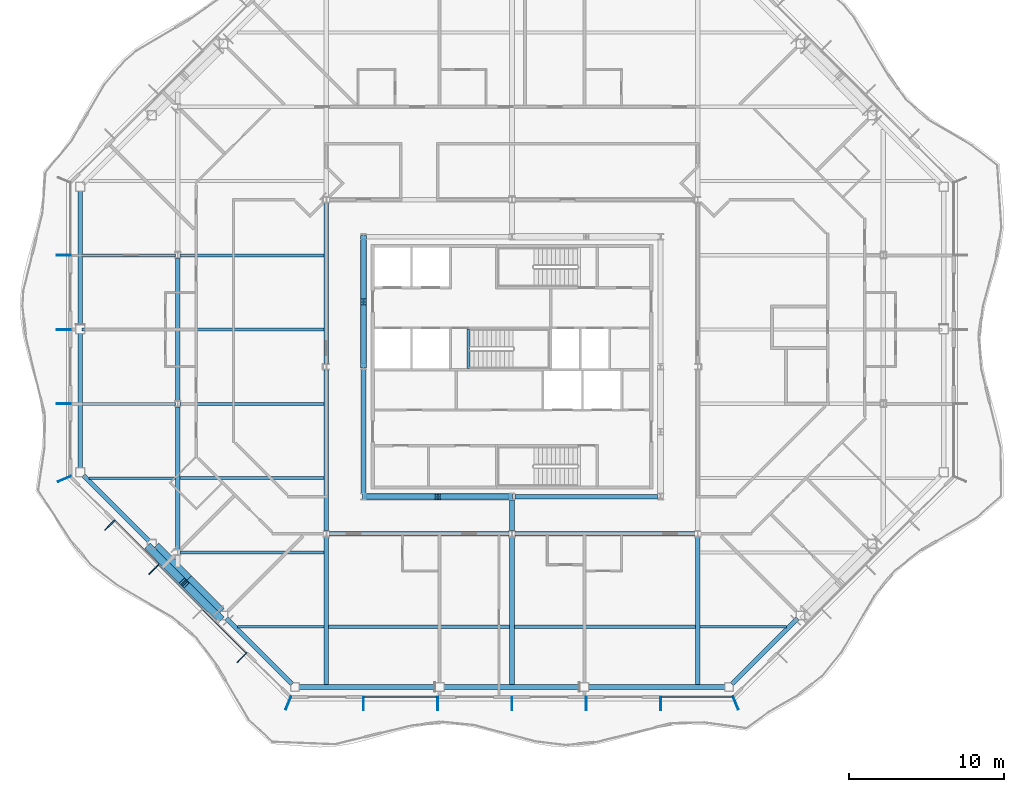
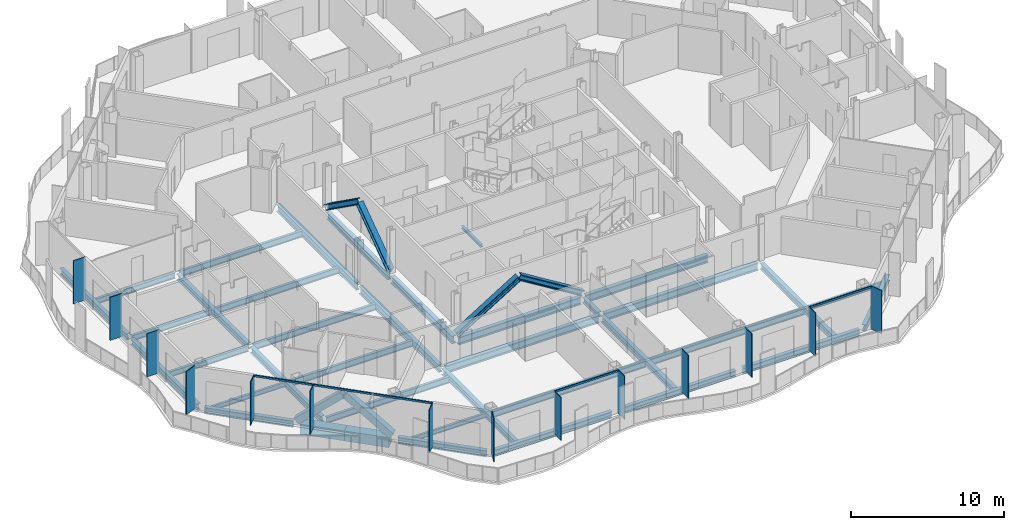
# One storey, part 3 of 20: 38 beams, 25 members, 4 elements without a shape of their own.
"""IFC4 building model written with IfcOpenShell, lengths in metres."""

import ifcopenshell
import ifcopenshell.guid

model = None  # the IFC model being written
_history = None  # IfcOwnerHistory: only IFC2X3 demands one
_inside = {}  # id of a spatial element -> (the spatial element, [elements in it])
_under = {}  # id of a project, library or spatial element -> (it, [spatial elements below it])
_declared = {}  # id of a project -> (the project, [libraries it declares])
_typed = {}  # id of a type object -> (the type object, [elements of that type])
_made_of = {}  # id of a material, layer set ... -> (it, [elements and type objects made of it])


def new_model(schema):
    """Start an empty IFC model of exactly this schema.

    Asked for "IFC4X3", IfcOpenShell would pick the latest addendum, in which some entities
    have other attributes; the version numbers below select the first issue.
    IFC2X3 requires an IfcOwnerHistory on every rooted entity: one is made here for all.
    """
    global model, _history
    if schema == "IFC4X3":
        model = ifcopenshell.file(schema_version=(4, 3, 0, 0))
    else:
        model = ifcopenshell.file(schema=schema)
    _inside.clear()
    _under.clear()
    _declared.clear()
    _typed.clear()
    _made_of.clear()
    _history = None
    if model.schema == "IFC2X3":
        org = make("IfcOrganization", Name="unknown")
        user = make(
            "IfcPersonAndOrganization",
            ThePerson=make("IfcPerson", FamilyName="unknown"),
            TheOrganization=org,
        )
        app = make(
            "IfcApplication",
            ApplicationDeveloper=org,
            Version="unknown",
            ApplicationFullName="unknown",
            ApplicationIdentifier="unknown",
        )
        _history = make(
            "IfcOwnerHistory",
            OwningUser=user,
            OwningApplication=app,
            ChangeAction="ADDED",
            CreationDate=0,
        )
    return model


def make(cls, **values):
    """One entity of the class cls with the attributes given. An attribute that is None is left unset."""
    return model.create_entity(
        cls, **{name: value for name, value in values.items() if value is not None}
    )


def rooted(cls, **values):
    """An entity with a GlobalId (a new one), such as an element, a storey or a relation."""
    return make(cls, GlobalId=ifcopenshell.guid.new(), OwnerHistory=_history, **values)


def si_unit(unit_type, name, prefix=None):
    """IfcSIUnit, for example si_unit("LENGTHUNIT", "METRE", prefix="MILLI")."""
    return make("IfcSIUnit", UnitType=unit_type, Prefix=prefix, Name=name)


def assignment(units):
    """IfcUnitAssignment: the units of a project."""
    return None if units is None else make("IfcUnitAssignment", Units=units)


def point(xyz):
    """IfcCartesianPoint."""
    return None if xyz is None else make("IfcCartesianPoint", Coordinates=xyz)


def direction(xyz):
    """IfcDirection."""
    return None if xyz is None else make("IfcDirection", DirectionRatios=xyz)


def frame(location, z_axis=None, x_axis=None):
    """IfcAxis2Placement3D, a coordinate frame: its origin and axes. An axis left out is left unset."""
    return make(
        "IfcAxis2Placement3D",
        Location=point(location),
        Axis=direction(z_axis),
        RefDirection=direction(x_axis),
    )


def frame_2d(location, x_axis=None):
    """IfcAxis2Placement2D, a coordinate frame in the plane: its origin and x axis."""
    return make(
        "IfcAxis2Placement2D", Location=point(location), RefDirection=direction(x_axis)
    )


def origin():
    """The frame at (0, 0, 0) with its axes left unset."""
    return frame((0.0, 0.0, 0.0))


def origin_2d():
    """The frame at (0, 0) in the plane with its x axis left unset."""
    return frame_2d((0.0, 0.0))


def place(relative_to, where):
    """IfcLocalPlacement: puts the frame where relative to a parent placement (None: the world)."""
    return make(
        "IfcLocalPlacement", PlacementRelTo=relative_to, RelativePlacement=where
    )


def context(
    kind, dimensions, precision=None, world=None, true_north=None, identifier=None
):
    """IfcGeometricRepresentationContext, for example the 3D "Model" context."""
    return make(
        "IfcGeometricRepresentationContext",
        ContextIdentifier=identifier,
        ContextType=kind,
        CoordinateSpaceDimension=dimensions,
        Precision=precision,
        WorldCoordinateSystem=world,
        TrueNorth=true_north,
    )


def subcontext(parent, identifier, kind, view, scale=None):
    """IfcGeometricRepresentationSubContext, for example "Body" below "Model"."""
    return make(
        "IfcGeometricRepresentationSubContext",
        ContextIdentifier=identifier,
        ContextType=kind,
        ParentContext=parent,
        TargetScale=scale,
        TargetView=view,
    )


def project(units=None, contexts=None):
    """IfcProject with its units and contexts."""
    return rooted(
        "IfcProject",
        Name="project",
        RepresentationContexts=contexts,
        UnitsInContext=assignment(units),
    )


def spatial(cls, under=None, at=None, **own):
    """A site, building, storey or space (cls), placed at a placement, below another one or the project."""
    s = rooted(cls, ObjectPlacement=at, **own)
    if under is not None:
        _under.setdefault(under.id(), (under, []))[1].append(s)
    return s


def profile(cls, at=None, kind="AREA", **sizes):
    """A parametric profile (cls). Its sizes go by their IFC names, for example OverallWidth=200.0."""
    return make(cls, ProfileType=kind, Position=at, **sizes)


def rectangle(**sizes):
    """IfcRectangleProfileDef."""
    return profile("IfcRectangleProfileDef", **sizes)


def hollow_rectangle(**sizes):
    """IfcRectangleHollowProfileDef."""
    return profile("IfcRectangleHollowProfileDef", **sizes)


def i_section(**sizes):
    """IfcIShapeProfileDef."""
    return profile("IfcIShapeProfileDef", **sizes)


def extrude(swept, where, along, depth):
    """IfcExtrudedAreaSolid: the profile swept, set in the frame where, extruded along a direction by depth."""
    return make(
        "IfcExtrudedAreaSolid",
        SweptArea=swept,
        Position=where,
        ExtrudedDirection=direction(along),
        Depth=depth,
    )


def shape(context_of_items, identifier, shape_type, items):
    """IfcShapeRepresentation: the items that make up one representation, for example the "Body"."""
    return make(
        "IfcShapeRepresentation",
        ContextOfItems=context_of_items,
        RepresentationIdentifier=identifier,
        RepresentationType=shape_type,
        Items=items,
    )


def material(Name=None, Category=None):
    """IfcMaterial."""
    return make("IfcMaterial", Name=Name, Category=Category)


def material_profile(
    of_material, cross_section, Name=None, Category=None, Priority=None
):
    """IfcMaterialProfile: a cross section and its material."""
    return make(
        "IfcMaterialProfile",
        Name=Name,
        Material=of_material,
        Profile=cross_section,
        Priority=Priority,
        Category=Category,
    )


def profile_set(profiles, Name=None, composite=None):
    """IfcMaterialProfileSet."""
    return make(
        "IfcMaterialProfileSet",
        Name=Name,
        MaterialProfiles=profiles,
        CompositeProfile=composite,
    )


def made_of(thing, what):
    """Note that an element or type object is made of a material, layer set ...; save() writes the relation."""
    if what is not None:
        _made_of.setdefault(what.id(), (what, []))[1].append(thing)
    return thing


def type_object(cls, material=None, **own):
    """A type object (cls), such as IfcWallType, which elements share."""
    return made_of(rooted(cls, **own), material)


def element(
    cls,
    number,
    at=None,
    inside=None,
    cuts=None,
    type_object=None,
    material=None,
    context=None,
    identifier="Body",
    shape_type=None,
    held_by="IfcProductDefinitionShape",
    body=None,
    shapes=None,
    **own,
):
    """One element of the class cls, such as IfcWall. Its Tag is "e" and its number.

    at: its placement. inside: the storey or other place that contains it. cuts: it is an
    opening in that element (IfcRelVoidsElement). A single representation is given by context,
    identifier, shape_type and body (its items); several are given by shapes. held_by: the class
    of the entity that holds the representations. save() writes the other relations.
    """
    e = rooted(cls, Tag="e%d" % number, ObjectPlacement=at, **own)
    if body is not None:
        shapes = [shape(context, identifier, shape_type, body)]
    if shapes is not None:
        e.Representation = make(held_by, Representations=shapes)
    if inside is not None:
        _inside.setdefault(inside.id(), (inside, []))[1].append(e)
    if cuts is not None:
        rooted(
            "IfcRelVoidsElement", RelatingBuildingElement=cuts, RelatedOpeningElement=e
        )
    if type_object is not None:
        _typed.setdefault(type_object.id(), (type_object, []))[1].append(e)
    return made_of(e, material)


def aggregate(whole, parts):
    """IfcRelAggregates: a whole, such as a stair, and the parts it consists of."""
    return rooted("IfcRelAggregates", RelatingObject=whole, RelatedObjects=parts)


def save(model, path):
    """Write the relations noted so far, then the file.

    IfcRelAggregates (storeys below a building ...), IfcRelContainedInSpatialStructure (elements
    in a storey), IfcRelDefinesByType, IfcRelAssociatesMaterial and IfcRelDeclares: one each for
    every whole, place, type object, material and project.
    """
    for whole, parts in _under.values():
        aggregate(whole, parts)
    for where, things in _inside.values():
        rooted(
            "IfcRelContainedInSpatialStructure",
            RelatedElements=things,
            RelatingStructure=where,
        )
    for kind, things in _typed.values():
        rooted("IfcRelDefinesByType", RelatedObjects=things, RelatingType=kind)
    for what, things in _made_of.values():
        rooted("IfcRelAssociatesMaterial", RelatedObjects=things, RelatingMaterial=what)
    for by, libraries in _declared.values():
        rooted("IfcRelDeclares", RelatingContext=by, RelatedDefinitions=libraries)
    model.write(path)


model = new_model("IFC4")

# Units and contexts
model_context = context("Model", 3, precision=1e-05, world=origin(), true_north=direction((0.0, 1.0)))
body_context = subcontext(model_context, "Body", "Model", "MODEL_VIEW")
ifc_project = project(units=[si_unit("LENGTHUNIT", "METRE"), si_unit("AREAUNIT", "SQUARE_METRE"), si_unit("VOLUMEUNIT", "CUBIC_METRE"), si_unit("PLANEANGLEUNIT", "RADIAN"), si_unit("MASSUNIT", "GRAM", prefix="KILO")], contexts=[model_context])

# Site, building, storey
site_placement = place(None, origin())
site = spatial("IfcSite", under=ifc_project, at=site_placement, CompositionType="ELEMENT")
building_placement = place(site_placement, origin())
building = spatial("IfcBuilding", under=site, at=building_placement, Name="Cairn Pilgrim Tower", CompositionType="ELEMENT")
storey_placement = place(building_placement, frame((0.0, 0.0, 165.0)))
storey = spatial("IfcBuildingStorey", under=building, at=storey_placement, Name="L41", CompositionType="ELEMENT", Elevation=165.0)

# Members
ifc_material_1 = material(Name="Structural steel S460M", Category="steel")
ifc_material_profile_1 = material_profile(ifc_material_1, hollow_rectangle(XDim=0.5, YDim=0.5, WallThickness=0.030029296875, at=origin_2d()), Name="BOX 500x500x30")
ifc_profile_set_1 = profile_set([ifc_material_profile_1], Name="Structural steel S460M")
member_type_1 = type_object("IfcMemberType", Name="BOX 500x500x30 BRACE", PredefinedType="BRACE", material=ifc_profile_set_1)
for number, where, z_axis, x_axis, name in (
    (1, (-16.243408203125, -9.2978515625, 0.14990234375), (0.532872437944, -0.54041586551, 0.651151024866), (0.712058976351, 0.702119658034, 0.0), "XB-SW2-SW3-1"),
    (2, (-11.697998046875, -13.84326171875, 0.14990234375), (-0.540432836476, 0.53283023714, 0.651171473306), (-0.702080283622, -0.712097799006, 0.0), "XB-SW2-SW3-2"),
):
    element("IfcMember", number, at=place(storey_placement, frame(where, z_axis=z_axis, x_axis=x_axis)), inside=storey, type_object=member_type_1, Name=name, PredefinedType="BRACE", context=body_context, shape_type="SweptSolid", body=[
        extrude(hollow_rectangle(XDim=0.5, YDim=0.5, WallThickness=0.030029296875, at=origin_2d()), origin(), (0.0, 0.0, 1.0), 4.142578125),
    ])

# Beams
ifc_material_2 = material(Name="Structural steel S355J2", Category="steel")
ifc_material_profile_2 = material_profile(ifc_material_2, hollow_rectangle(XDim=0.699951171875, YDim=0.800048828125, WallThickness=0.0400390625, at=origin_2d()), Name="BOX 700x800x40")
ifc_profile_set_2 = profile_set([ifc_material_profile_2], Name="Structural steel S355J2")
beam_type_1 = type_object("IfcBeamType", Name="BOX 700x800x40 RING GIRDER", PredefinedType="SPANDREL", material=ifc_profile_set_2)
beam_1_placement = place(storey_placement, frame((-15.884765625, -9.242431640625, -0.550048828125), z_axis=(0.707106781187, -0.707106781187, 0.0), x_axis=(0.707106781187, 0.707106781187, 0.0)))
element("IfcBeam", 3, at=beam_1_placement, inside=storey, type_object=beam_type_1, Name="RG2-SW2-SW3-1", PredefinedType="SPANDREL", context=body_context, shape_type="SweptSolid", body=[
    extrude(hollow_rectangle(XDim=0.699951171875, YDim=0.800048828125, WallThickness=0.0400390625, at=origin_2d()), origin(), (0.0, 0.0, 1.0), 2.999755859375),
])
beam_2_placement = place(storey_placement, frame((-13.763671875, -11.363525390625, -0.550048828125), z_axis=(0.707106781187, -0.707106781187, 0.0), x_axis=(0.707106781187, 0.707106781187, 0.0)))
element("IfcBeam", 4, at=beam_2_placement, inside=storey, type_object=beam_type_1, Name="RG2-SW2-SW3-2", PredefinedType="SPANDREL", context=body_context, shape_type="SweptSolid", body=[
    extrude(hollow_rectangle(XDim=0.699951171875, YDim=0.800048828125, WallThickness=0.0400390625, at=origin_2d()), origin(), (0.0, 0.0, 1.0), 3.0),
])

# Curtain wall, members
ifc_material_3 = material(Name="Aluminium alloy 6063-T6 bronze anodised with Bronze tinted laminated low-E glass 8+16+8.8", Category="aluminium")
curtain_wall_type_1 = type_object("IfcCurtainWallType", Name="TOWER STICK CURTAIN WALL NS", PredefinedType="NOTDEFINED", material=ifc_material_3)
curtain_wall_1_placement = place(storey_placement, origin())
curtain_wall_1 = element("IfcCurtainWall", 5, at=curtain_wall_1_placement, inside=storey, type_object=curtain_wall_type_1, Name="Tower Stick Curtain Wall Ns S", PredefinedType="NOTDEFINED")
ifc_material_4 = material(Name="Aluminium alloy 6063-T6 bronze anodised", Category="aluminium")
ifc_material_profile_3 = material_profile(ifc_material_4, rectangle(XDim=0.89990234375, YDim=0.06005859375, at=origin_2d()), Name="FIN MULLION 60x900 BRONZE")
ifc_profile_set_3 = profile_set([ifc_material_profile_3], Name="Aluminium alloy 6063-T6 bronze anodised")
member_type_2 = type_object("IfcMemberType", Name="FIN MULLION 60x900 BRONZE", PredefinedType="MULLION", material=ifc_profile_set_3)
member_1_placement = place(storey_placement, frame((-7.257080078125, -19.338134765625, 0.0), z_axis=(0.0, 0.0, 1.0), x_axis=(-0.382683432365, -0.923879532511, 0.0)))
member_1 = element("IfcMember", 6, at=member_1_placement, type_object=member_type_2, Name="Fin mullion S1", PredefinedType="MULLION", context=body_context, shape_type="SweptSolid", body=[
    extrude(rectangle(XDim=0.89990234375, YDim=0.06005859375, at=origin_2d()), origin(), (0.0, 0.0, 1.0), 3.449951171875),
])
member_2_placement = place(storey_placement, frame((-2.39990234375, -19.3701171875, 0.0), z_axis=(0.0, 0.0, 1.0), x_axis=(0.0, -1.0, 0.0)))
member_2 = element("IfcMember", 7, at=member_2_placement, type_object=member_type_2, Name="Fin mullion S2", PredefinedType="MULLION", context=body_context, shape_type="SweptSolid", body=[
    extrude(rectangle(XDim=0.89990234375, YDim=0.06005859375, at=origin_2d()), origin(), (0.0, 0.0, 1.0), 3.449951171875),
])
member_3_placement = place(storey_placement, frame((2.39990234375, -19.3701171875, 0.0), z_axis=(0.0, 0.0, 1.0), x_axis=(0.0, -1.0, 0.0)))
member_3 = element("IfcMember", 8, at=member_3_placement, type_object=member_type_2, Name="Fin mullion S3", PredefinedType="MULLION", context=body_context, shape_type="SweptSolid", body=[
    extrude(rectangle(XDim=0.89990234375, YDim=0.06005859375, at=origin_2d()), origin(), (0.0, 0.0, 1.0), 3.449951171875),
])
member_4_placement = place(storey_placement, frame((7.199951171875, -19.3701171875, 0.0), z_axis=(0.0, 0.0, 1.0), x_axis=(0.0, -1.0, 0.0)))
member_4 = element("IfcMember", 9, at=member_4_placement, type_object=member_type_2, Name="Fin mullion S4", PredefinedType="MULLION", context=body_context, shape_type="SweptSolid", body=[
    extrude(rectangle(XDim=0.89990234375, YDim=0.06005859375, at=origin_2d()), origin(), (0.0, 0.0, 1.0), 3.449951171875),
])
member_5_placement = place(storey_placement, frame((12.0, -19.3701171875, 0.0), z_axis=(0.0, 0.0, 1.0), x_axis=(0.0, -1.0, 0.0)))
member_5 = element("IfcMember", 10, at=member_5_placement, type_object=member_type_2, Name="Fin mullion S5", PredefinedType="MULLION", context=body_context, shape_type="SweptSolid", body=[
    extrude(rectangle(XDim=0.89990234375, YDim=0.06005859375, at=origin_2d()), origin(), (0.0, 0.0, 1.0), 3.449951171875),
])
member_6_placement = place(storey_placement, frame((16.800048828125, -19.3701171875, 0.0), z_axis=(0.0, 0.0, 1.0), x_axis=(0.0, -1.0, 0.0)))
member_6 = element("IfcMember", 11, at=member_6_placement, type_object=member_type_2, Name="Fin mullion S6", PredefinedType="MULLION", context=body_context, shape_type="SweptSolid", body=[
    extrude(rectangle(XDim=0.89990234375, YDim=0.06005859375, at=origin_2d()), origin(), (0.0, 0.0, 1.0), 3.449951171875),
])

# Curtain wall, member
curtain_wall_type_2 = type_object("IfcCurtainWallType", Name="CHAMFER CORNER CURTAIN WALL", PredefinedType="NOTDEFINED", material=ifc_material_3)
curtain_wall_2_placement = place(storey_placement, origin())
curtain_wall_2 = element("IfcCurtainWall", 12, at=curtain_wall_2_placement, inside=storey, type_object=curtain_wall_type_2, Name="Chamfer Corner Curtain Wall SE", PredefinedType="NOTDEFINED")
member_7_placement = place(storey_placement, frame((21.6572265625, -19.338134765625, 0.0), z_axis=(0.0, 0.0, 1.0), x_axis=(0.382683432365, -0.923879532511, 0.0)))
member_7 = element("IfcMember", 13, at=member_7_placement, type_object=member_type_2, Name="Fin mullion SE1", PredefinedType="MULLION", context=body_context, shape_type="SweptSolid", body=[
    extrude(rectangle(XDim=0.89990234375, YDim=0.06005859375, at=origin_2d()), origin(), (0.0, 0.0, 1.0), 3.449951171875),
])
aggregate(curtain_wall_2, [member_7])

# Curtain wall, members
curtain_wall_type_3 = type_object("IfcCurtainWallType", Name="TOWER STICK CURTAIN WALL EW", PredefinedType="NOTDEFINED", material=ifc_material_3)
curtain_wall_3_placement = place(storey_placement, origin())
curtain_wall_3 = element("IfcCurtainWall", 14, at=curtain_wall_3_placement, inside=storey, type_object=curtain_wall_type_3, Name="Tower Stick Curtain Wall Ew W", PredefinedType="NOTDEFINED")
member_8_placement = place(storey_placement, frame((-21.77001953125, 9.60009765625, 0.0), z_axis=(0.0, 0.0, 1.0), x_axis=(-1.0, 0.0, 0.0)))
member_8 = element("IfcMember", 15, at=member_8_placement, type_object=member_type_2, Name="Fin mullion W2", PredefinedType="MULLION", context=body_context, shape_type="SweptSolid", body=[
    extrude(rectangle(XDim=0.89990234375, YDim=0.06005859375, at=origin_2d()), origin(), (0.0, 0.0, 1.0), 3.449951171875),
])
member_9_placement = place(storey_placement, frame((-21.77001953125, 4.800048828125, 0.0), z_axis=(0.0, 0.0, 1.0), x_axis=(-1.0, 0.0, 0.0)))
member_9 = element("IfcMember", 16, at=member_9_placement, type_object=member_type_2, Name="Fin mullion W3", PredefinedType="MULLION", context=body_context, shape_type="SweptSolid", body=[
    extrude(rectangle(XDim=0.89990234375, YDim=0.06005859375, at=origin_2d()), origin(), (0.0, 0.0, 1.0), 3.449951171875),
])
member_10_placement = place(storey_placement, frame((-21.77001953125, 0.0, 0.0), z_axis=(0.0, 0.0, 1.0), x_axis=(-1.0, 0.0, 0.0)))
member_10 = element("IfcMember", 17, at=member_10_placement, type_object=member_type_2, Name="Fin mullion W4", PredefinedType="MULLION", context=body_context, shape_type="SweptSolid", body=[
    extrude(rectangle(XDim=0.89990234375, YDim=0.06005859375, at=origin_2d()), origin(), (0.0, 0.0, 1.0), 3.449951171875),
])
aggregate(curtain_wall_3, [member_8, member_9, member_10])

curtain_wall_4_placement = place(storey_placement, origin())
curtain_wall_4 = element("IfcCurtainWall", 18, at=curtain_wall_4_placement, inside=storey, type_object=curtain_wall_type_2, Name="Chamfer Corner Curtain Wall SW", PredefinedType="NOTDEFINED")
member_11_placement = place(storey_placement, frame((-21.738037109375, -4.857177734375, 0.0), z_axis=(0.0, 0.0, 1.0), x_axis=(-0.923879532511, -0.382683432365, 0.0)))
member_11 = element("IfcMember", 19, at=member_11_placement, type_object=member_type_2, Name="Fin mullion SW1", PredefinedType="MULLION", context=body_context, shape_type="SweptSolid", body=[
    extrude(rectangle(XDim=0.89990234375, YDim=0.06005859375, at=origin_2d()), origin(), (0.0, 0.0, 1.0), 3.449951171875),
])
member_12_placement = place(storey_placement, frame((-18.79638671875, -7.84423828125, 0.0), z_axis=(0.0, 0.0, 1.0), x_axis=(-0.707106781187, -0.707106781187, 0.0)))
member_12 = element("IfcMember", 20, at=member_12_placement, type_object=member_type_2, Name="Fin mullion SW2", PredefinedType="MULLION", context=body_context, shape_type="SweptSolid", body=[
    extrude(rectangle(XDim=0.89990234375, YDim=0.06005859375, at=origin_2d()), origin(), (0.0, 0.0, 1.0), 3.449951171875),
])
member_13_placement = place(storey_placement, frame((-15.945556640625, -10.69482421875, 0.0), z_axis=(0.0, 0.0, 1.0), x_axis=(-0.707106781187, -0.707106781187, 0.0)))
member_13 = element("IfcMember", 21, at=member_13_placement, type_object=member_type_2, Name="Fin mullion SW3", PredefinedType="MULLION", context=body_context, shape_type="SweptSolid", body=[
    extrude(rectangle(XDim=0.89990234375, YDim=0.06005859375, at=origin_2d()), origin(), (0.0, 0.0, 1.0), 3.449951171875),
])
member_14_placement = place(storey_placement, frame((-10.244140625, -16.396240234375, 0.0), z_axis=(0.0, 0.0, 1.0), x_axis=(-0.707106781187, -0.707106781187, 0.0)))
member_14 = element("IfcMember", 22, at=member_14_placement, type_object=member_type_2, Name="Fin mullion SW5", PredefinedType="MULLION", context=body_context, shape_type="SweptSolid", body=[
    extrude(rectangle(XDim=0.89990234375, YDim=0.06005859375, at=origin_2d()), origin(), (0.0, 0.0, 1.0), 3.449951171875),
])

# Members
ifc_material_profile_4 = material_profile(ifc_material_1, i_section(OverallWidth=0.408935546875, OverallDepth=0.425048828125, WebThickness=0.03271484375, FlangeThickness=0.052490234375, FilletRadius=0.014892578125, at=origin_2d()), Name="HD 400x421")
ifc_profile_set_4 = profile_set([ifc_material_profile_4], Name="Structural steel S460M")
member_type_3 = type_object("IfcMemberType", Name="HD 400x421 BRACE", PredefinedType="BRACE", material=ifc_profile_set_4)
member_15_placement = place(storey_placement, frame((-2.3583984375, -6.0, 0.10009765625), z_axis=(0.851119565216, 0.0, 0.524971890397), x_axis=(0.0, 1.0, 0.0)))
element("IfcMember", 23, at=member_15_placement, inside=storey, type_object=member_type_3, Name="KB-1A", PredefinedType="BRACE", context=body_context, shape_type="SweptSolid", body=[
    extrude(i_section(OverallWidth=0.408935546875, OverallDepth=0.425048828125, WebThickness=0.03271484375, FlangeThickness=0.052490234375, FilletRadius=0.014892578125, at=origin_2d()), origin(), (0.0, 0.0, 1.0), 5.528076171875),
])
member_16_placement = place(storey_placement, frame((7.158447265625, -6.0, 0.10009765625), z_axis=(-0.851131735799, 0.0, 0.52495215812), x_axis=(0.0, -1.0, 0.0)))
element("IfcMember", 24, at=member_16_placement, inside=storey, type_object=member_type_3, Name="KB-1B", PredefinedType="BRACE", context=body_context, shape_type="SweptSolid", body=[
    extrude(i_section(OverallWidth=0.408935546875, OverallDepth=0.425048828125, WebThickness=0.03271484375, FlangeThickness=0.052490234375, FilletRadius=0.014892578125, at=origin_2d()), origin(), (0.0, 0.0, 1.0), 5.5283203125),
])
for number, where, z_axis, x_axis, name in (
    (25, (-2.39990234375, 10.75830078125, 0.10009765625), (0.0, -0.81433042856, 0.580401544727), (1.0, 0.0, 0.0), "KB-4A"),
    (26, (-2.39990234375, 2.441650390625, 0.10009765625), (0.0, 0.81433042856, 0.580401544727), (-1.0, 0.0, 0.0), "KB-4B"),
):
    element("IfcMember", number, at=place(storey_placement, frame(where, z_axis=z_axis, x_axis=x_axis)), inside=storey, type_object=member_type_3, Name=name, PredefinedType="BRACE", context=body_context, shape_type="SweptSolid", body=[
        extrude(i_section(OverallWidth=0.408935546875, OverallDepth=0.425048828125, WebThickness=0.03271484375, FlangeThickness=0.052490234375, FilletRadius=0.014892578125, at=origin_2d()), origin(), (0.0, 0.0, 1.0), 4.998046875),
    ])

# Beams
ifc_material_profile_5 = material_profile(ifc_material_2, i_section(OverallWidth=0.300048828125, OverallDepth=0.39990234375, WebThickness=0.013427734375, FlangeThickness=0.02392578125, FilletRadius=0.027099609375, at=origin_2d()), Name="HEB 400")
ifc_profile_set_5 = profile_set([ifc_material_profile_5], Name="Structural steel S355J2")
beam_type_2 = type_object("IfcBeamType", Name="HEB 400 GIRDER", PredefinedType="BEAM", material=ifc_profile_set_5)
beam_3_placement = place(storey_placement, frame((7.199951171875, -8.200439453125, -0.35009765625), z_axis=(0.0, 1.0, 0.0), x_axis=(-1.0, 0.0, 0.0)))
element("IfcBeam", 27, at=beam_3_placement, inside=storey, type_object=beam_type_2, Name="PG3-E1", PredefinedType="BEAM", context=body_context, shape_type="SweptSolid", body=[
    extrude(i_section(OverallWidth=0.300048828125, OverallDepth=0.39990234375, WebThickness=0.013427734375, FlangeThickness=0.02392578125, FilletRadius=0.027099609375, at=origin_2d()), origin(), (0.0, 0.0, 1.0), 1.992431640625),
])
ifc_material_profile_6 = material_profile(ifc_material_2, i_section(OverallWidth=0.300048828125, OverallDepth=0.5, WebThickness=0.014404296875, FlangeThickness=0.028076171875, FilletRadius=0.027099609375, at=origin_2d()), Name="HEB 500")
ifc_profile_set_6 = profile_set([ifc_material_profile_6], Name="Structural steel S355J2")
beam_type_3 = type_object("IfcBeamType", Name="HEB 500 GIRDER", PredefinedType="BEAM", material=ifc_profile_set_6)
for number, where, z_axis, x_axis, name in (
    (28, (-14.39990234375, -9.400390625, -0.39990234375), (0.0, 1.0, 0.0), (-1.0, 0.0, 0.0), "PG1-1"),
    (29, (-14.39990234375, 0.199462890625, -0.39990234375), (0.0, 1.0, 0.0), (-1.0, 0.0, 0.0), "PG1-2"),
):
    element("IfcBeam", number, at=place(storey_placement, frame(where, z_axis=z_axis, x_axis=x_axis)), inside=storey, type_object=beam_type_3, Name=name, PredefinedType="BEAM", context=body_context, shape_type="SweptSolid", body=[
        extrude(i_section(OverallWidth=0.300048828125, OverallDepth=0.5, WebThickness=0.014404296875, FlangeThickness=0.028076171875, FilletRadius=0.027099609375, at=origin_2d()), origin(), (0.0, 0.0, 1.0), 9.200927734375),
    ])
for number, where, z_axis, x_axis, name in (
    (30, (-4.800048828125, -18.179931640625, -0.39990234375), (0.0, 1.0, 0.0), (-1.0, 0.0, 0.0), "PG2-1"),
    (31, (7.199951171875, -18.179931640625, -0.39990234375), (0.0, 1.0, 0.0), (-1.0, 0.0, 0.0), "PG3-1"),
    (32, (19.199951171875, -18.179931640625, -0.39990234375), (0.0, 1.0, 0.0), (-1.0, 0.0, 0.0), "PG4-1"),
):
    element("IfcBeam", number, at=place(storey_placement, frame(where, z_axis=z_axis, x_axis=x_axis)), inside=storey, type_object=beam_type_3, Name=name, PredefinedType="BEAM", context=body_context, shape_type="SweptSolid", body=[
        extrude(i_section(OverallWidth=0.300048828125, OverallDepth=0.5, WebThickness=0.014404296875, FlangeThickness=0.028076171875, FilletRadius=0.027099609375, at=origin_2d()), origin(), (0.0, 0.0, 1.0), 9.580322265625),
    ])
ifc_material_profile_7 = material_profile(ifc_material_2, i_section(OverallWidth=0.300048828125, OverallDepth=0.5, WebThickness=0.014404296875, FlangeThickness=0.028076171875, FilletRadius=0.027099609375, at=origin_2d()), Name="HEB 500")
ifc_profile_set_7 = profile_set([ifc_material_profile_7], Name="Structural steel S355J2")
beam_type_4 = type_object("IfcBeamType", Name="HEB 500 RING GIRDER", PredefinedType="SPANDREL", material=ifc_profile_set_7)
for number, where, z_axis, x_axis, name in (
    (33, (-6.55712890625, -18.300048828125, -0.39990234375), (1.0, 0.0, 0.0), (0.0, 1.0, 0.0), "RG2-S1-S2"),
    (34, (2.794189453125, -18.300048828125, -0.39990234375), (1.0, 0.0, 0.0), (0.0, 1.0, 0.0), "RG2-S2-S3"),
    (35, (12.145751953125, -18.300048828125, -0.39990234375), (1.0, 0.0, 0.0), (0.0, 1.0, 0.0), "RG2-S3-SE1"),
):
    element("IfcBeam", number, at=place(storey_placement, frame(where, z_axis=z_axis, x_axis=x_axis)), inside=storey, type_object=beam_type_4, Name=name, PredefinedType="SPANDREL", context=body_context, shape_type="SweptSolid", body=[
        extrude(i_section(OverallWidth=0.300048828125, OverallDepth=0.5, WebThickness=0.014404296875, FlangeThickness=0.028076171875, FilletRadius=0.027099609375, at=origin_2d()), origin(), (0.0, 0.0, 1.0), 8.8115234375),
    ])
beam_4_placement = place(storey_placement, frame((21.418212890625, -18.109130859375, -0.39990234375), z_axis=(0.707106781187, 0.707106781187, 0.0), x_axis=(-0.707106781187, 0.707106781187, 0.0)))
element("IfcBeam", 36, at=beam_4_placement, inside=storey, type_object=beam_type_4, Name="RG2-SE1-SE2", PredefinedType="SPANDREL", context=body_context, shape_type="SweptSolid", body=[
    extrude(i_section(OverallWidth=0.300048828125, OverallDepth=0.5, WebThickness=0.014404296875, FlangeThickness=0.028076171875, FilletRadius=0.027099609375, at=origin_2d()), origin(), (0.0, 0.0, 1.0), 5.999755859375),
])
beam_5_placement = place(storey_placement, frame((-20.699951171875, 13.757080078125, -0.39990234375), z_axis=(0.0, -1.0, 0.0), x_axis=(1.0, 0.0, 0.0)))
element("IfcBeam", 37, at=beam_5_placement, inside=storey, type_object=beam_type_4, Name="RG2-W1-W2", PredefinedType="SPANDREL", context=body_context, shape_type="SweptSolid", body=[
    extrude(i_section(OverallWidth=0.300048828125, OverallDepth=0.5, WebThickness=0.014404296875, FlangeThickness=0.028076171875, FilletRadius=0.027099609375, at=origin_2d()), origin(), (0.0, 0.0, 1.0), 8.68701171875),
])
beam_6_placement = place(storey_placement, frame((-20.699951171875, 4.530029296875, -0.39990234375), z_axis=(0.0, -1.0, 0.0), x_axis=(1.0, 0.0, 0.0)))
element("IfcBeam", 38, at=beam_6_placement, inside=storey, type_object=beam_type_4, Name="RG2-W2-SW1", PredefinedType="SPANDREL", context=body_context, shape_type="SweptSolid", body=[
    extrude(i_section(OverallWidth=0.300048828125, OverallDepth=0.5, WebThickness=0.014404296875, FlangeThickness=0.028076171875, FilletRadius=0.027099609375, at=origin_2d()), origin(), (0.0, 0.0, 1.0), 8.687255859375),
])
for number, where, z_axis, x_axis, name in (
    (39, (-20.509033203125, -4.6181640625, -0.39990234375), (0.707106781187, -0.707106781187, 0.0), (0.707106781187, 0.707106781187, 0.0), "RG2-SW1-SW2"),
    (40, (-11.260498046875, -13.86669921875, -0.39990234375), (0.707106781187, -0.707106781187, 0.0), (0.707106781187, 0.707106781187, 0.0), "RG2-SW3-S1"),
):
    element("IfcBeam", number, at=place(storey_placement, frame(where, z_axis=z_axis, x_axis=x_axis)), inside=storey, type_object=beam_type_4, Name=name, PredefinedType="SPANDREL", context=body_context, shape_type="SweptSolid", body=[
        extrude(i_section(OverallWidth=0.300048828125, OverallDepth=0.5, WebThickness=0.014404296875, FlangeThickness=0.028076171875, FilletRadius=0.027099609375, at=origin_2d()), origin(), (0.0, 0.0, 1.0), 5.999755859375),
    ])
ifc_material_profile_8 = material_profile(ifc_material_2, i_section(OverallWidth=0.300048828125, OverallDepth=0.60009765625, WebThickness=0.015380859375, FlangeThickness=0.030029296875, FilletRadius=0.027099609375, at=origin_2d()), Name="HEB 600")
ifc_profile_set_8 = profile_set([ifc_material_profile_8], Name="Structural steel S355J2")
beam_type_5 = type_object("IfcBeamType", Name="HEB 600 CORE BEAM", PredefinedType="BEAM", material=ifc_profile_set_8)
for number, where, z_axis, x_axis, name in (
    (41, (-2.212890625, -6.0, -0.449951171875), (1.0, 0.0, 0.0), (0.0, 1.0, 0.0), "CB-1"),
    (42, (7.38720703125, -6.0, -0.449951171875), (1.0, 0.0, 0.0), (0.0, 1.0, 0.0), "CB-2"),
):
    element("IfcBeam", number, at=place(storey_placement, frame(where, z_axis=z_axis, x_axis=x_axis)), inside=storey, type_object=beam_type_5, Name=name, PredefinedType="BEAM", context=body_context, shape_type="SweptSolid", body=[
        extrude(i_section(OverallWidth=0.300048828125, OverallDepth=0.60009765625, WebThickness=0.015380859375, FlangeThickness=0.030029296875, FilletRadius=0.027099609375, at=origin_2d()), origin(), (0.0, 0.0, 1.0), 9.2255859375),
    ])
for number, where, z_axis, x_axis, name in (
    (43, (-2.39990234375, 10.61279296875, -0.449951171875), (0.0, -1.0, 0.0), (1.0, 0.0, 0.0), "CB-7"),
    (44, (-2.39990234375, 2.212890625, -0.449951171875), (0.0, -1.0, 0.0), (1.0, 0.0, 0.0), "CB-8"),
):
    element("IfcBeam", number, at=place(storey_placement, frame(where, z_axis=z_axis, x_axis=x_axis)), inside=storey, type_object=beam_type_5, Name=name, PredefinedType="BEAM", context=body_context, shape_type="SweptSolid", body=[
        extrude(i_section(OverallWidth=0.300048828125, OverallDepth=0.60009765625, WebThickness=0.015380859375, FlangeThickness=0.030029296875, FilletRadius=0.027099609375, at=origin_2d()), origin(), (0.0, 0.0, 1.0), 8.025634765625),
    ])
ifc_material_profile_9 = material_profile(ifc_material_2, i_section(OverallWidth=0.300048828125, OverallDepth=0.60009765625, WebThickness=0.015380859375, FlangeThickness=0.030029296875, FilletRadius=0.027099609375, at=origin_2d()), Name="HEB 600")
ifc_profile_set_9 = profile_set([ifc_material_profile_9], Name="Structural steel S355J2")
beam_type_6 = type_object("IfcBeamType", Name="HEB 600 GIRDER", PredefinedType="BEAM", material=ifc_profile_set_9)
for number, where, z_axis, x_axis, name in (
    (45, (-4.800048828125, -8.200439453125, -0.449951171875), (0.0, 1.0, 0.0), (-1.0, 0.0, 0.0), "PG2-2"),
    (46, (-4.800048828125, 2.599609375, -0.449951171875), (0.0, 1.0, 0.0), (-1.0, 0.0, 0.0), "PG2-3"),
):
    element("IfcBeam", number, at=place(storey_placement, frame(where, z_axis=z_axis, x_axis=x_axis)), inside=storey, type_object=beam_type_6, Name=name, PredefinedType="BEAM", context=body_context, shape_type="SweptSolid", body=[
        extrude(i_section(OverallWidth=0.300048828125, OverallDepth=0.60009765625, WebThickness=0.015380859375, FlangeThickness=0.030029296875, FilletRadius=0.027099609375, at=origin_2d()), origin(), (0.0, 0.0, 1.0), 10.40087890625),
    ])
ifc_material_profile_10 = material_profile(ifc_material_2, i_section(OverallWidth=0.300048828125, OverallDepth=0.60009765625, WebThickness=0.015380859375, FlangeThickness=0.030029296875, FilletRadius=0.027099609375, at=origin_2d()), Name="HEB 600")
ifc_profile_set_10 = profile_set([ifc_material_profile_10], Name="Structural steel S355J2")
beam_type_7 = type_object("IfcBeamType", Name="HEB 600 INNER GIRDER", PredefinedType="BEAM", material=ifc_profile_set_10)
for number, where, z_axis, x_axis, name in (
    (47, (-4.6005859375, -8.39990234375, -0.449951171875), (1.0, 0.0, 0.0), (0.0, 1.0, 0.0), "IG1-1"),
    (48, (7.3994140625, -8.39990234375, -0.449951171875), (1.0, 0.0, 0.0), (0.0, 1.0, 0.0), "IG1-2"),
):
    element("IfcBeam", number, at=place(storey_placement, frame(where, z_axis=z_axis, x_axis=x_axis)), inside=storey, type_object=beam_type_7, Name=name, PredefinedType="BEAM", context=body_context, shape_type="SweptSolid", body=[
        extrude(i_section(OverallWidth=0.300048828125, OverallDepth=0.60009765625, WebThickness=0.015380859375, FlangeThickness=0.030029296875, FilletRadius=0.027099609375, at=origin_2d()), origin(), (0.0, 0.0, 1.0), 11.60107421875),
    ])
ifc_material_profile_11 = material_profile(ifc_material_2, i_section(OverallWidth=0.169921875, OverallDepth=0.360107421875, WebThickness=0.008056640625, FlangeThickness=0.0126953125, FilletRadius=0.01806640625, at=origin_2d()), Name="IPE 360")
ifc_profile_set_11 = profile_set([ifc_material_profile_11], Name="Structural steel S355J2")
beam_type_8 = type_object("IfcBeamType", Name="IPE 360 SECONDARY BEAM", PredefinedType="JOIST", material=ifc_profile_set_11)
beam_7_placement = place(storey_placement, frame((-10.545166015625, -14.39990234375, -0.330078125), z_axis=(1.0, 0.0, 0.0), x_axis=(0.0, 1.0, 0.0)))
element("IfcBeam", 49, at=beam_7_placement, inside=storey, type_object=beam_type_8, Name="SB1-1", PredefinedType="JOIST", context=body_context, shape_type="SweptSolid", body=[
    extrude(i_section(OverallWidth=0.169921875, OverallDepth=0.360107421875, WebThickness=0.008056640625, FlangeThickness=0.0126953125, FilletRadius=0.01806640625, at=origin_2d()), origin(), (0.0, 0.0, 1.0), 5.59521484375),
])
for number, where, z_axis, x_axis, name in (
    (50, (19.35009765625, -14.39990234375, -0.330078125), (1.0, 0.0, 0.0), (0.0, 1.0, 0.0), "SB1-4"),
    (51, (-20.14501953125, -4.800048828125, -0.330078125), (1.0, 0.0, 0.0), (0.0, 1.0, 0.0), "SB3-1"),
):
    element("IfcBeam", number, at=place(storey_placement, frame(where, z_axis=z_axis, x_axis=x_axis)), inside=storey, type_object=beam_type_8, Name=name, PredefinedType="JOIST", context=body_context, shape_type="SweptSolid", body=[
        extrude(i_section(OverallWidth=0.169921875, OverallDepth=0.360107421875, WebThickness=0.008056640625, FlangeThickness=0.0126953125, FilletRadius=0.01806640625, at=origin_2d()), origin(), (0.0, 0.0, 1.0), 5.594970703125),
    ])
ifc_material_profile_12 = material_profile(ifc_material_2, i_section(OverallWidth=0.18994140625, OverallDepth=0.449951171875, WebThickness=0.009521484375, FlangeThickness=0.0146484375, FilletRadius=0.02099609375, at=origin_2d()), Name="IPE 450")
ifc_profile_set_12 = profile_set([ifc_material_profile_12], Name="Structural steel S355J2")
beam_type_9 = type_object("IfcBeamType", Name="IPE 450 SECONDARY BEAM", PredefinedType="JOIST", material=ifc_profile_set_12)
for number, where, z_axis, x_axis, name in (
    (52, (-20.580078125, 0.0, -0.375), (1.0, 0.0, 0.0), (0.0, 1.0, 0.0), "SB4-1"),
    (53, (-20.580078125, 4.800048828125, -0.375), (1.0, 0.0, 0.0), (0.0, 1.0, 0.0), "SB5-1"),
    (54, (-20.580078125, 9.60009765625, -0.375), (1.0, 0.0, 0.0), (0.0, 1.0, 0.0), "SB6-1"),
):
    element("IfcBeam", number, at=place(storey_placement, frame(where, z_axis=z_axis, x_axis=x_axis)), inside=storey, type_object=beam_type_9, Name=name, PredefinedType="JOIST", context=body_context, shape_type="SweptSolid", body=[
        extrude(i_section(OverallWidth=0.18994140625, OverallDepth=0.449951171875, WebThickness=0.009521484375, FlangeThickness=0.0146484375, FilletRadius=0.02099609375, at=origin_2d()), origin(), (0.0, 0.0, 1.0), 6.030029296875),
    ])
ifc_material_profile_13 = material_profile(ifc_material_2, i_section(OverallWidth=0.199951171875, OverallDepth=0.5, WebThickness=0.01025390625, FlangeThickness=0.01611328125, FilletRadius=0.02099609375, at=origin_2d()), Name="IPE 500")
ifc_profile_set_13 = profile_set([ifc_material_profile_13], Name="Structural steel S355J2")
beam_type_10 = type_object("IfcBeamType", Name="IPE 500 SECONDARY BEAM", PredefinedType="JOIST", material=ifc_profile_set_13)
for number, where, z_axis, x_axis, name in (
    (55, (-14.25, -9.60009765625, -0.39990234375), (1.0, 0.0, 0.0), (0.0, 1.0, 0.0), "SB2-1"),
    (56, (-14.25, -4.800048828125, -0.39990234375), (1.0, 0.0, 0.0), (0.0, 1.0, 0.0), "SB3-2"),
    (57, (-14.25, 0.0, -0.39990234375), (1.0, 0.0, 0.0), (0.0, 1.0, 0.0), "SB4-2"),
    (58, (-14.25, 4.800048828125, -0.39990234375), (1.0, 0.0, 0.0), (0.0, 1.0, 0.0), "SB5-2"),
    (59, (-14.25, 9.60009765625, -0.39990234375), (1.0, 0.0, 0.0), (0.0, 1.0, 0.0), "SB6-2"),
):
    element("IfcBeam", number, at=place(storey_placement, frame(where, z_axis=z_axis, x_axis=x_axis)), inside=storey, type_object=beam_type_10, Name=name, PredefinedType="JOIST", context=body_context, shape_type="SweptSolid", body=[
        extrude(i_section(OverallWidth=0.199951171875, OverallDepth=0.5, WebThickness=0.01025390625, FlangeThickness=0.01611328125, FilletRadius=0.02099609375, at=origin_2d()), origin(), (0.0, 0.0, 1.0), 9.300048828125),
    ])
ifc_material_profile_14 = material_profile(ifc_material_2, i_section(OverallWidth=0.2099609375, OverallDepth=0.550048828125, WebThickness=0.010986328125, FlangeThickness=0.01708984375, FilletRadius=0.02392578125, at=origin_2d()), Name="IPE 550")
ifc_profile_set_14 = profile_set([ifc_material_profile_14], Name="Structural steel S355J2")
beam_type_11 = type_object("IfcBeamType", Name="IPE 550 SECONDARY BEAM", PredefinedType="JOIST", material=ifc_profile_set_14)
for number, where, z_axis, x_axis, name in (
    (60, (-4.64990234375, -14.39990234375, -0.425048828125), (1.0, 0.0, 0.0), (0.0, 1.0, 0.0), "SB1-2"),
    (61, (7.35009765625, -14.39990234375, -0.425048828125), (1.0, 0.0, 0.0), (0.0, 1.0, 0.0), "SB1-3"),
):
    element("IfcBeam", number, at=place(storey_placement, frame(where, z_axis=z_axis, x_axis=x_axis)), inside=storey, type_object=beam_type_11, Name=name, PredefinedType="JOIST", context=body_context, shape_type="SweptSolid", body=[
        extrude(i_section(OverallWidth=0.2099609375, OverallDepth=0.550048828125, WebThickness=0.010986328125, FlangeThickness=0.01708984375, FilletRadius=0.02392578125, at=origin_2d()), origin(), (0.0, 0.0, 1.0), 11.699951171875),
    ])
ifc_material_profile_15 = material_profile(ifc_material_2, i_section(OverallWidth=0.199951171875, OverallDepth=0.199951171875, WebThickness=0.009033203125, FlangeThickness=0.014892578125, FilletRadius=0.01806640625, at=origin_2d()), Name="HE 200 B")
ifc_profile_set_15 = profile_set([ifc_material_profile_15], Name="Structural steel S355J2")
beam_type_12 = type_object("IfcBeamType", Name="STAIR LANDING BEAM HE 200 B", PredefinedType="BEAM", material=ifc_profile_set_15)
beam_8_placement = place(storey_placement, frame((4.37548828125, 2.27490234375, -0.25), z_axis=(0.0, 1.0, 0.0), x_axis=(-1.0, 0.0, 0.0)))
element("IfcBeam", 62, at=beam_8_placement, inside=storey, type_object=beam_type_12, Name="STAIR LANDING BEAM LD-HE200B", PredefinedType="BEAM", context=body_context, shape_type="SweptSolid", body=[
    extrude(i_section(OverallWidth=0.199951171875, OverallDepth=0.199951171875, WebThickness=0.009033203125, FlangeThickness=0.014892578125, FilletRadius=0.01806640625, at=origin_2d()), origin(), (0.0, 0.0, 1.0), 2.550048828125),
])

# Member
ifc_material_profile_16 = material_profile(ifc_material_4, rectangle(XDim=0.080078125, YDim=0.14990234375, at=origin_2d()), Name="TRANSOM 80x150 BRONZE")
ifc_profile_set_16 = profile_set([ifc_material_profile_16], Name="Aluminium alloy 6063-T6 bronze anodised")
member_type_4 = type_object("IfcMemberType", Name="TRANSOM 80x150 BRONZE", PredefinedType="USERDEFINED", material=ifc_profile_set_16)
member_17_placement = place(storey_placement, frame((-2.3701171875, -18.949951171875, 3.375), z_axis=(1.0, 0.0, 0.0), x_axis=(0.0, 1.0, 0.0)))
member_17 = element("IfcMember", 63, at=member_17_placement, type_object=member_type_4, Name="Transom S2", ObjectType="TRANSOM", PredefinedType="USERDEFINED", context=body_context, shape_type="SweptSolid", body=[
    extrude(rectangle(XDim=0.080078125, YDim=0.14990234375, at=origin_2d()), origin(), (0.0, 0.0, 1.0), 4.740234375),
])

member_18_placement = place(storey_placement, frame((16.830078125, -18.949951171875, 3.375), z_axis=(1.0, 0.0, 0.0), x_axis=(0.0, 1.0, 0.0)))
member_18 = element("IfcMember", 64, at=member_18_placement, type_object=member_type_4, Name="Transom S6", ObjectType="TRANSOM", PredefinedType="USERDEFINED", context=body_context, shape_type="SweptSolid", body=[
    extrude(rectangle(XDim=0.080078125, YDim=0.14990234375, at=origin_2d()), origin(), (0.0, 0.0, 1.0), 4.62646484375),
])

aggregate(curtain_wall_1, [member_1, member_2, member_3, member_4, member_5, member_6, member_17, member_18])

member_19_placement = place(storey_placement, frame((-18.47802734375, -7.568359375, 3.375), z_axis=(0.707106781187, -0.707106781187, 0.0), x_axis=(0.707106781187, 0.707106781187, 0.0)))
member_19 = element("IfcMember", 65, at=member_19_placement, type_object=member_type_4, Name="Transom SW2", ObjectType="TRANSOM", PredefinedType="USERDEFINED", context=body_context, shape_type="SweptSolid", body=[
    extrude(rectangle(XDim=0.080078125, YDim=0.14990234375, at=origin_2d()), origin(), (0.0, 0.0, 1.0), 3.9716796875),
])

member_20_placement = place(storey_placement, frame((-15.62744140625, -10.419189453125, 3.375), z_axis=(0.70713751761, -0.707076043427, 0.0), x_axis=(0.707076043427, 0.70713751761, 0.0)))
member_20 = element("IfcMember", 66, at=member_20_placement, type_object=member_type_4, Name="Transom SW3", ObjectType="TRANSOM", PredefinedType="USERDEFINED", context=body_context, shape_type="SweptSolid", body=[
    extrude(rectangle(XDim=0.080078125, YDim=0.14990234375, at=origin_2d()), origin(), (0.0, 0.0, 1.0), 3.971435546875),
])

member_21_placement = place(storey_placement, frame((-12.776611328125, -13.269775390625, 3.375), z_axis=(0.707106781187, -0.707106781187, 0.0), x_axis=(0.707106781187, 0.707106781187, 0.0)))
member_21 = element("IfcMember", 67, at=member_21_placement, type_object=member_type_4, Name="Transom SW4", ObjectType="TRANSOM", PredefinedType="USERDEFINED", context=body_context, shape_type="SweptSolid", body=[
    extrude(rectangle(XDim=0.080078125, YDim=0.14990234375, at=origin_2d()), origin(), (0.0, 0.0, 1.0), 3.9716796875),
])

aggregate(curtain_wall_4, [member_11, member_12, member_13, member_14, member_19, member_20, member_21])

save(model, "model.ifc")
